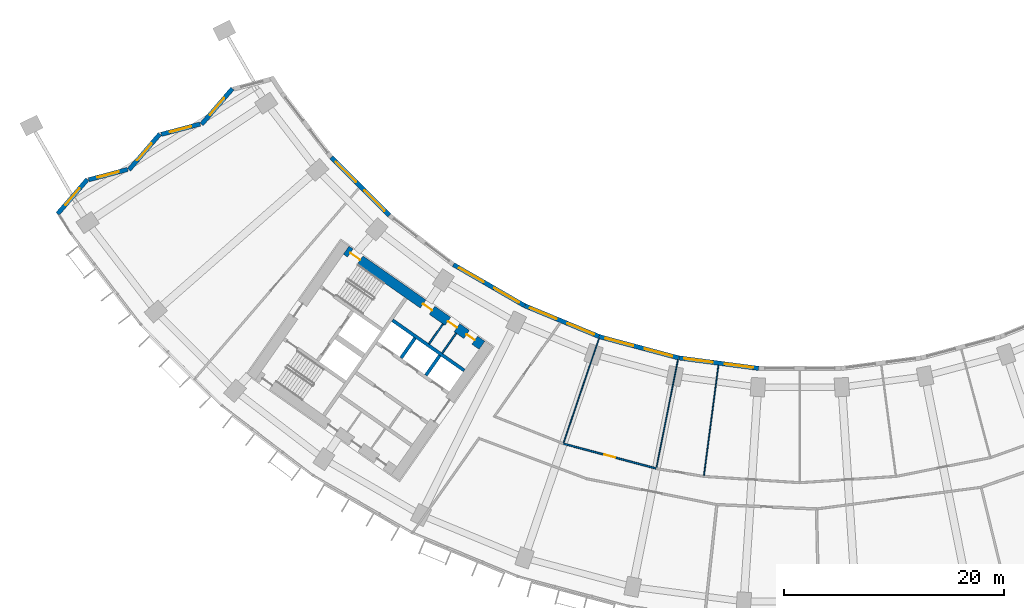
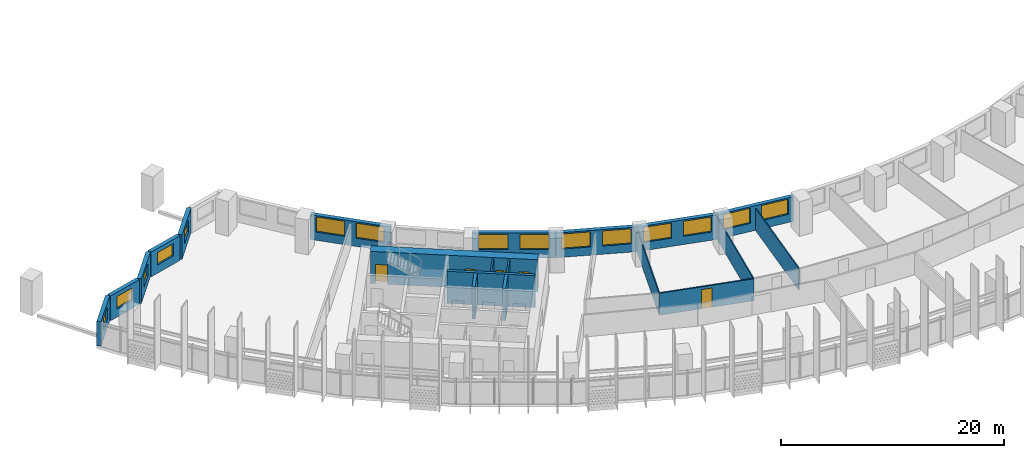
# One storey, part 4 of 31: 20 walls, 15 windows, 5 doors, 20 openings.
"""IFC4 building model written with IfcOpenShell, lengths in metres."""

from ifc_helpers import new_model, si_unit, direction, frame, frame_2d, origin, place, context, subcontext, project, spatial, rectangle, extrude, material, layer, layer_set, type_object, element, fill, save


model = new_model("IFC4")

# Units and contexts
model_context = context("Model", 3, precision=1e-05, world=origin(), true_north=direction((0.0, 1.0)))
body_context = subcontext(model_context, "Body", "Model", "MODEL_VIEW")
ifc_project = project(units=[si_unit("LENGTHUNIT", "METRE"), si_unit("AREAUNIT", "SQUARE_METRE"), si_unit("VOLUMEUNIT", "CUBIC_METRE"), si_unit("PLANEANGLEUNIT", "RADIAN"), si_unit("MASSUNIT", "GRAM", prefix="KILO")], contexts=[model_context])

# Site, building, storey
site_placement = place(None, origin())
site = spatial("IfcSite", under=ifc_project, at=site_placement, CompositionType="ELEMENT")
building_placement = place(site_placement, origin())
building = spatial("IfcBuilding", under=site, at=building_placement, Name="Qamariyya Broadcast Tower", CompositionType="ELEMENT")
storey_placement = place(building_placement, frame((0.0, 0.0, 55.699951171875)))
storey = spatial("IfcBuildingStorey", under=building, at=storey_placement, Name="L10", CompositionType="ELEMENT", Elevation=55.699951171875)

# Wall, openings, doors
ifc_material_1 = material(Name="Concrete C70/85", Category="concrete")
ifc_layer_1 = layer(ifc_material_1, 0.89990234375)
ifc_layer_set_1 = layer_set([ifc_layer_1], Name="Core wall 900 mm Concrete C70/85")
wall_type_1 = type_object("IfcWallType", Name="Core wall 900 mm Concrete C70/85", PredefinedType="SHEAR", material=ifc_layer_set_1)
wall_1_placement = place(storey_placement, frame((-28.8544921875, -54.32421875, 0.0), z_axis=(0.0, 0.0, 1.0), x_axis=(-0.819145767589, 0.573585400304, 0.0)))
wall_1 = element("IfcWall", 1, at=wall_1_placement, inside=storey, type_object=wall_type_1, Name="k-W-L10-WI", PredefinedType="SHEAR", context=body_context, shape_type="SweptSolid", body=[
    extrude(rectangle(XDim=15.04541015625, YDim=0.89990234375, at=frame_2d((7.522705078125, 0.0))), origin(), (0.0, 0.0, 1.0), 3.5),
])
opening_1_placement = place(wall_1_placement, frame((0.800048828125, 0.0, 0.0)))
opening_1 = element("IfcOpeningElement", 2, at=opening_1_placement, cuts=wall_1, Name="Opening KD5-W1", PredefinedType="OPENING", context=body_context, shape_type="SweptSolid", body=[
    extrude(rectangle(XDim=0.89990234375, YDim=2.10009765625, at=frame_2d((0.449951171875, 1.050048828125))), frame((0.0, 0.4599609375, 0.0), z_axis=(0.0, -1.0, 0.0), x_axis=(1.0, 0.0, 0.0)), (0.0, 0.0, 1.0), 0.919921875),
])
opening_2_placement = place(wall_1_placement, frame((2.77490234375, 0.0, 0.0)))
opening_2 = element("IfcOpeningElement", 3, at=opening_2_placement, cuts=wall_1, Name="Opening KD7-W1", PredefinedType="OPENING", context=body_context, shape_type="SweptSolid", body=[
    extrude(rectangle(XDim=1.0, YDim=2.10009765625, at=frame_2d((0.5, 1.050048828125))), frame((0.0, 0.4599609375, 0.0), z_axis=(0.0, -1.0, 0.0), x_axis=(1.0, 0.0, 0.0)), (0.0, 0.0, 1.0), 0.919921875),
])
opening_3_placement = place(wall_1_placement, frame((5.52490234375, 0.0, 0.0)))
opening_3 = element("IfcOpeningElement", 4, at=opening_3_placement, cuts=wall_1, Name="Opening KD6-W2", PredefinedType="OPENING", context=body_context, shape_type="SweptSolid", body=[
    extrude(rectangle(XDim=1.0, YDim=2.10009765625, at=frame_2d((0.5, 1.050048828125))), frame((0.0, 0.4599609375, 0.0), z_axis=(0.0, -1.0, 0.0), x_axis=(1.0, 0.0, 0.0)), (0.0, 0.0, 1.0), 0.919921875),
])
opening_4_placement = place(wall_1_placement, frame((13.495361328125, 0.0, 0.0)))
opening_4 = element("IfcOpeningElement", 5, at=opening_4_placement, cuts=wall_1, Name="Opening KD1-W1", PredefinedType="OPENING", context=body_context, shape_type="SweptSolid", body=[
    extrude(rectangle(XDim=1.10009765625, YDim=2.10009765625, at=frame_2d((0.550048828125, 1.050048828125))), frame((0.0, 0.4599609375, 0.0), z_axis=(0.0, -1.0, 0.0), x_axis=(1.0, 0.0, 0.0)), (0.0, 0.0, 1.0), 0.919921875),
])
ifc_material_2 = material(Name="Steel fire-resisting door leaf", Category="steel")
door_type_1 = type_object("IfcDoorType", Name="Accessible toilet door KD7", OperationType="SINGLE_SWING_LEFT", PredefinedType="DOOR", material=ifc_material_2)
door_1_placement = place(opening_2_placement, origin())
door_1 = element("IfcDoor", 6, at=door_1_placement, inside=storey, type_object=door_type_1, Name="k-W-L10-WI-D8", OperationType="SINGLE_SWING_LEFT", OverallHeight=2.10009765625, OverallWidth=1.0, PredefinedType="DOOR", context=body_context, shape_type="SweptSolid", body=[
    extrude(rectangle(XDim=1.0, YDim=2.10009765625, at=frame_2d((0.5, 1.050048828125))), frame((0.0, 0.02490234375, 0.0), z_axis=(0.0, -1.0, 0.0), x_axis=(1.0, 0.0, 0.0)), (0.0, 0.0, 1.0), 0.050048828125),
])
fill(opening_2, door_1)
door_type_2 = type_object("IfcDoorType", Name="Core room door KD6", OperationType="SINGLE_SWING_LEFT", PredefinedType="DOOR", material=ifc_material_2)
door_2_placement = place(opening_3_placement, origin())
door_2 = element("IfcDoor", 7, at=door_2_placement, inside=storey, type_object=door_type_2, Name="k-W-L10-WI-D9", OperationType="SINGLE_SWING_RIGHT", OverallHeight=2.10009765625, OverallWidth=1.0, PredefinedType="DOOR", context=body_context, shape_type="SweptSolid", body=[
    extrude(rectangle(XDim=1.0, YDim=2.10009765625, at=frame_2d((0.5, 1.050048828125))), frame((0.0, 0.02490234375, 0.0), z_axis=(0.0, -1.0, 0.0), x_axis=(1.0, 0.0, 0.0)), (0.0, 0.0, 1.0), 0.050048828125),
])
fill(opening_3, door_2)
door_type_3 = type_object("IfcDoorType", Name="Stair door KD1", OperationType="SINGLE_SWING_LEFT", PredefinedType="DOOR", material=ifc_material_2)
door_3_placement = place(opening_4_placement, origin())
door_3 = element("IfcDoor", 8, at=door_3_placement, inside=storey, type_object=door_type_3, Name="k-W-L10-WI-D16", OperationType="SINGLE_SWING_RIGHT", OverallHeight=2.10009765625, OverallWidth=1.10009765625, PredefinedType="DOOR", context=body_context, shape_type="SweptSolid", body=[
    extrude(rectangle(XDim=1.10009765625, YDim=2.10009765625, at=frame_2d((0.550048828125, 1.050048828125))), frame((0.0, 0.02490234375, 0.0), z_axis=(0.0, -1.0, 0.0), x_axis=(1.0, 0.0, 0.0)), (0.0, 0.0, 1.0), 0.050048828125),
])
fill(opening_4, door_3)
door_type_4 = type_object("IfcDoorType", Name="Toilet door KD5", OperationType="SINGLE_SWING_LEFT", PredefinedType="DOOR", material=ifc_material_2)
door_4_placement = place(opening_1_placement, origin())
door_4 = element("IfcDoor", 9, at=door_4_placement, inside=storey, type_object=door_type_4, Name="k-W-L10-WI-D7", OperationType="SINGLE_SWING_RIGHT", OverallHeight=2.10009765625, OverallWidth=0.89990234375, PredefinedType="DOOR", context=body_context, shape_type="SweptSolid", body=[
    extrude(rectangle(XDim=0.89990234375, YDim=2.10009765625, at=frame_2d((0.449951171875, 1.050048828125))), frame((0.0, 0.02490234375, 0.0), z_axis=(0.0, -1.0, 0.0), x_axis=(1.0, 0.0, 0.0)), (0.0, 0.0, 1.0), 0.050048828125),
])
fill(opening_1, door_4)

# Wall, opening, door
ifc_material_3 = material(Name="Gypsum board partition")
ifc_layer_2 = layer(ifc_material_3, 0.14990234375)
ifc_layer_set_2 = layer_set([ifc_layer_2], Name="Corridor partition 150 EI 60")
wall_type_2 = type_object("IfcWallType", Name="Corridor partition 150 EI 60", PredefinedType="PARTITIONING", material=ifc_layer_set_2)
wall_2_placement = place(storey_placement, frame((-21.47216796875, -63.2548828125, 0.0), z_axis=(0.0, 0.0, 1.0), x_axis=(0.965927722938, -0.258811966607, 0.0)))
wall_2 = element("IfcWall", 10, at=wall_2_placement, inside=storey, type_object=wall_type_2, Name="Partition L10-006", PredefinedType="PARTITIONING", context=body_context, shape_type="SweptSolid", body=[
    extrude(rectangle(XDim=8.73779296875, YDim=0.14990234375, at=frame_2d((4.368896484375, 0.0))), origin(), (0.0, 0.0, 1.0), 2.400146484375),
])
opening_5_placement = place(wall_2_placement, frame((3.868896484375, 0.0, 0.0)))
opening_5 = element("IfcOpeningElement", 11, at=opening_5_placement, cuts=wall_2, Name="Opening L10-D06", PredefinedType="OPENING", context=body_context, shape_type="SweptSolid", body=[
    extrude(rectangle(XDim=1.0, YDim=2.10009765625, at=frame_2d((0.5, 1.050048828125))), frame((0.0, 0.0849609375, 0.0), z_axis=(0.0, -1.0, 0.0), x_axis=(1.0, 0.0, 0.0)), (0.0, 0.0, 1.0), 0.169921875),
])
ifc_material_4 = material(Name="Timber fire door leaf", Category="wood")
door_type_5 = type_object("IfcDoorType", Name="Fire door 1000 x 2100 FD60", OperationType="NOTDEFINED", PredefinedType="DOOR", material=ifc_material_4)
door_5_placement = place(opening_5_placement, origin())
door_5 = element("IfcDoor", 12, at=door_5_placement, inside=storey, type_object=door_type_5, Name="Door L10-D06", OperationType="SINGLE_SWING_RIGHT", OverallHeight=2.10009765625, OverallWidth=1.0, PredefinedType="DOOR", context=body_context, shape_type="SweptSolid", body=[
    extrude(rectangle(XDim=1.0, YDim=2.10009765625, at=frame_2d((0.5, 1.050048828125))), frame((0.0, 0.02490234375, 0.0), z_axis=(0.0, -1.0, 0.0), x_axis=(1.0, 0.0, 0.0)), (0.0, 0.0, 1.0), 0.050048828125),
])
fill(opening_5, door_5)

# Walls
ifc_material_5 = material(Name="Gypsum board partition on steel studs", Category="steel")
ifc_layer_3 = layer(ifc_material_5, 0.14990234375)
ifc_layer_set_3 = layer_set([ifc_layer_3], Name="Gypsum board partition 150 mm")
wall_type_3 = type_object("IfcWallType", Name="Gypsum board partition 150 mm", PredefinedType="PARTITIONING", material=ifc_layer_set_3)
wall_3_placement = place(storey_placement, frame((-32.46337890625, -55.0322265625, 0.0), z_axis=(0.0, 0.0, 1.0), x_axis=(0.573507030513, 0.819200638399, 0.0)))
element("IfcWall", 13, at=wall_3_placement, inside=storey, type_object=wall_type_3, Name="k-W-L10-NP255", PredefinedType="PARTITIONING", context=body_context, shape_type="SweptSolid", body=[
    extrude(rectangle(XDim=2.199951171875, YDim=0.14990234375, at=frame_2d((1.10009765625, 0.0))), origin(), (0.0, 0.0, 1.0), 3.5),
])
wall_4_placement = place(storey_placement, frame((-33.651123046875, -54.200439453125, 0.0), z_axis=(0.0, 0.0, 1.0), x_axis=(0.573559170999, 0.819164133348, 0.0)))
element("IfcWall", 14, at=wall_4_placement, inside=storey, type_object=wall_type_3, Name="k-W-L10-NP400", PredefinedType="PARTITIONING", context=body_context, shape_type="SweptSolid", body=[
    extrude(rectangle(XDim=2.19970703125, YDim=0.14990234375, at=frame_2d((1.099853515625, 0.0))), origin(), (0.0, 0.0, 1.0), 3.5),
])
ifc_material_6 = material(Name="Concrete C60/75", Category="concrete")
ifc_layer_4 = layer(ifc_material_6, 0.300048828125)
ifc_layer_set_4 = layer_set([ifc_layer_4], Name="Lift shaft wall 300 mm Concrete C60/75")
wall_type_4 = type_object("IfcWallType", Name="Lift shaft wall 300 mm Concrete C60/75", PredefinedType="SOLIDWALL", material=ifc_layer_set_4)
wall_5_placement = place(storey_placement, frame((-30.460693359375, -56.61767578125, 0.0), z_axis=(0.0, 0.0, 1.0), x_axis=(-0.819142461705, 0.573590121456, 0.0)))
element("IfcWall", 15, at=wall_5_placement, inside=storey, type_object=wall_type_4, Name="k-W-L10-NB0", PredefinedType="SOLIDWALL", context=body_context, shape_type="SweptSolid", body=[
    extrude(rectangle(XDim=7.949951171875, YDim=0.300048828125, at=frame_2d((3.97509765625, 0.0))), origin(), (0.0, 0.0, 1.0), 3.5),
])
wall_6_placement = place(storey_placement, frame((-33.9384765625, -57.051513671875, 0.0), z_axis=(0.0, 0.0, 1.0), x_axis=(0.573581496053, 0.819148501424, 0.0)))
element("IfcWall", 16, at=wall_6_placement, inside=storey, type_object=wall_type_4, Name="k-W-L10-ND0", PredefinedType="SOLIDWALL", context=body_context, shape_type="SweptSolid", body=[
    extrude(rectangle(XDim=2.2001953125, YDim=0.300048828125, at=frame_2d((1.10009765625, 0.0))), origin(), (0.0, 0.0, 1.0), 3.5),
])
wall_7_placement = place(storey_placement, frame((-36.19091796875, -55.47412109375, 0.0), z_axis=(0.0, 0.0, 1.0), x_axis=(0.573507030513, 0.819200638399, 0.0)))
element("IfcWall", 17, at=wall_7_placement, inside=storey, type_object=wall_type_4, Name="k-W-L10-ND1", PredefinedType="SOLIDWALL", context=body_context, shape_type="SweptSolid", body=[
    extrude(rectangle(XDim=2.199951171875, YDim=0.300048828125, at=frame_2d((1.10009765625, 0.0))), origin(), (0.0, 0.0, 1.0), 3.5),
])
ifc_layer_5 = layer(ifc_material_3, 0.10009765625)
ifc_layer_set_5 = layer_set([ifc_layer_5], Name="Partition 100")
wall_type_5 = type_object("IfcWallType", Name="Partition 100", PredefinedType="PARTITIONING", material=ifc_layer_set_5)
for number, where, z_axis, x_axis, name in (
    (18, (-18.24169921875, -53.73828125, 0.0), (0.0, 0.0, 1.0), (-0.321436265026, -0.946931215837, 0.0), "Partition L10-008"),
    (19, (-11.0712890625, -55.65966796875, 0.0), (0.0, 0.0, 1.0), (-0.195094645032, -0.980784420492, 0.0), "Partition L10-010"),
):
    element("IfcWall", number, at=place(storey_placement, frame(where, z_axis=z_axis, x_axis=x_axis)), inside=storey, type_object=wall_type_5, Name=name, PredefinedType="PARTITIONING", context=body_context, shape_type="SweptSolid", body=[
        extrude(rectangle(XDim=9.974853515625, YDim=0.10009765625, at=frame_2d((4.9873046875, 0.0))), origin(), (0.0, 0.0, 1.0), 2.400146484375),
    ])
wall_8_placement = place(storey_placement, frame((-7.3916015625, -56.144775390625, 0.0), z_axis=(0.0, 0.0, 1.0), x_axis=(-0.130538336764, -0.991443262439, 0.0)))
element("IfcWall", 20, at=wall_8_placement, inside=storey, type_object=wall_type_5, Name="Partition L10-014", PredefinedType="PARTITIONING", context=body_context, shape_type="SweptSolid", body=[
    extrude(rectangle(XDim=10.095703125, YDim=0.10009765625, at=frame_2d((5.0478515625, 0.0))), origin(), (0.0, 0.0, 1.0), 2.400146484375),
])

# Wall, opening, window
ifc_material_7 = material(Name="Terracotta", Category="masonry")
ifc_layer_6 = layer(ifc_material_7, 0.39990234375)
ifc_layer_set_6 = layer_set([ifc_layer_6], Name="Terracotta clad wall 400")
wall_type_6 = type_object("IfcWallType", Name="Terracotta clad wall 400", PredefinedType="SOLIDWALL", material=ifc_layer_set_6)
wall_9_placement = place(storey_placement, frame((-51.499755859375, -31.029296875, 0.0), z_axis=(0.0, 0.0, 1.0), x_axis=(-0.653861023327, -0.75661467219, 0.0)))
wall_9 = element("IfcWall", 21, at=wall_9_placement, inside=storey, type_object=wall_type_6, Name="e-wl-L10-capW1", PredefinedType="SOLIDWALL", context=body_context, shape_type="SweptSolid", body=[
    extrude(rectangle(XDim=4.295654296875, YDim=0.39990234375, at=frame_2d((2.14794921875, 0.0))), origin(), (0.0, 0.0, 1.0), 2.699951171875),
])
opening_6_placement = place(wall_9_placement, frame((1.14794921875, 0.0, 0.89990234375)))
opening_6 = element("IfcOpeningElement", 22, at=opening_6_placement, cuts=wall_9, Name="Opening W4", PredefinedType="OPENING", context=body_context, shape_type="SweptSolid", body=[
    extrude(rectangle(XDim=2.0, YDim=1.35009765625, at=frame_2d((1.0, 0.675048828125))), frame((0.0, 0.2099609375, 0.0), z_axis=(0.0, -1.0, 0.0), x_axis=(1.0, 0.0, 0.0)), (0.0, 0.0, 1.0), 0.419921875),
])
ifc_material_8 = material(Name="Clear low-e double glazed unit in aluminium frame", Category="aluminium")
window_type_1 = type_object("IfcWindowType", Name="Horn bay window 2000 x 1350", PartitioningType="SINGLE_PANEL", PredefinedType="WINDOW", material=ifc_material_8)
window_1_placement = place(opening_6_placement, origin())
window_1 = element("IfcWindow", 23, at=window_1_placement, inside=storey, type_object=window_type_1, Name="e-w-L10-capW1", OverallHeight=1.35009765625, OverallWidth=2.0, PartitioningType="SINGLE_PANEL", PredefinedType="WINDOW", context=body_context, shape_type="SweptSolid", body=[
    extrude(rectangle(XDim=2.0, YDim=1.35009765625, at=frame_2d((1.0, 0.675048828125))), frame((0.0, 0.030029296875, 0.0), z_axis=(0.0, -1.0, 0.0), x_axis=(1.0, 0.0, 0.0)), (0.0, 0.0, 1.0), 0.06005859375),
])
fill(opening_6, window_1)

wall_10_placement = place(storey_placement, frame((-54.433349609375, -34.248291015625, 0.0), z_axis=(0.0, 0.0, 1.0), x_axis=(-0.96669110423, -0.255945910308, 0.0)))
wall_10 = element("IfcWall", 24, at=wall_10_placement, inside=storey, type_object=wall_type_6, Name="e-wl-L10-capW2", PredefinedType="SOLIDWALL", context=body_context, shape_type="SweptSolid", body=[
    extrude(rectangle(XDim=3.647705078125, YDim=0.39990234375, at=frame_2d((1.82373046875, 0.0))), origin(), (0.0, 0.0, 1.0), 2.699951171875),
])
opening_7_placement = place(wall_10_placement, frame((0.82373046875, 0.0, 0.89990234375)))
opening_7 = element("IfcOpeningElement", 25, at=opening_7_placement, cuts=wall_10, Name="Opening W4", PredefinedType="OPENING", context=body_context, shape_type="SweptSolid", body=[
    extrude(rectangle(XDim=2.0, YDim=1.35009765625, at=frame_2d((1.0, 0.675048828125))), frame((0.0, 0.2099609375, 0.0), z_axis=(0.0, -1.0, 0.0), x_axis=(1.0, 0.0, 0.0)), (0.0, 0.0, 1.0), 0.419921875),
])
window_2_placement = place(opening_7_placement, origin())
window_2 = element("IfcWindow", 26, at=window_2_placement, inside=storey, type_object=window_type_1, Name="e-w-L10-capW2", OverallHeight=1.35009765625, OverallWidth=2.0, PartitioningType="SINGLE_PANEL", PredefinedType="WINDOW", context=body_context, shape_type="SweptSolid", body=[
    extrude(rectangle(XDim=2.0, YDim=1.35009765625, at=frame_2d((1.0, 0.675048828125))), frame((0.0, 0.030029296875, 0.0), z_axis=(0.0, -1.0, 0.0), x_axis=(1.0, 0.0, 0.0)), (0.0, 0.0, 1.0), 0.06005859375),
])
fill(opening_7, window_2)

wall_11_placement = place(storey_placement, frame((-58.084228515625, -35.15087890625, 0.0), z_axis=(0.0, 0.0, 1.0), x_axis=(-0.653782670149, -0.756682377364, 0.0)))
wall_11 = element("IfcWall", 27, at=wall_11_placement, inside=storey, type_object=wall_type_6, Name="e-wl-L10-capW3", PredefinedType="SOLIDWALL", context=body_context, shape_type="SweptSolid", body=[
    extrude(rectangle(XDim=4.29443359375, YDim=0.39990234375, at=frame_2d((2.147216796875, 0.0))), origin(), (0.0, 0.0, 1.0), 2.699951171875),
])
opening_8_placement = place(wall_11_placement, frame((1.147216796875, 0.0, 0.89990234375)))
opening_8 = element("IfcOpeningElement", 28, at=opening_8_placement, cuts=wall_11, Name="Opening W4", PredefinedType="OPENING", context=body_context, shape_type="SweptSolid", body=[
    extrude(rectangle(XDim=2.0, YDim=1.35009765625, at=frame_2d((1.0, 0.675048828125))), frame((0.0, 0.2099609375, 0.0), z_axis=(0.0, -1.0, 0.0), x_axis=(1.0, 0.0, 0.0)), (0.0, 0.0, 1.0), 0.419921875),
])
window_3_placement = place(opening_8_placement, origin())
window_3 = element("IfcWindow", 29, at=window_3_placement, inside=storey, type_object=window_type_1, Name="e-w-L10-capW3", OverallHeight=1.35009765625, OverallWidth=2.0, PartitioningType="SINGLE_PANEL", PredefinedType="WINDOW", context=body_context, shape_type="SweptSolid", body=[
    extrude(rectangle(XDim=2.0, YDim=1.35009765625, at=frame_2d((1.0, 0.675048828125))), frame((0.0, 0.030029296875, 0.0), z_axis=(0.0, -1.0, 0.0), x_axis=(1.0, 0.0, 0.0)), (0.0, 0.0, 1.0), 0.06005859375),
])
fill(opening_8, window_3)

wall_12_placement = place(storey_placement, frame((-61.0166015625, -38.369140625, 0.0), z_axis=(0.0, 0.0, 1.0), x_axis=(-0.966675524823, -0.256004745481, 0.0)))
wall_12 = element("IfcWall", 30, at=wall_12_placement, inside=storey, type_object=wall_type_6, Name="e-wl-L10-capW4", PredefinedType="SOLIDWALL", context=body_context, shape_type="SweptSolid", body=[
    extrude(rectangle(XDim=3.648681640625, YDim=0.39990234375, at=frame_2d((1.82421875, 0.0))), origin(), (0.0, 0.0, 1.0), 2.699951171875),
])
opening_9_placement = place(wall_12_placement, frame((0.824462890625, 0.0, 0.89990234375)))
opening_9 = element("IfcOpeningElement", 31, at=opening_9_placement, cuts=wall_12, Name="Opening W4", PredefinedType="OPENING", context=body_context, shape_type="SweptSolid", body=[
    extrude(rectangle(XDim=2.0, YDim=1.35009765625, at=frame_2d((1.0, 0.675048828125))), frame((0.0, 0.2099609375, 0.0), z_axis=(0.0, -1.0, 0.0), x_axis=(1.0, 0.0, 0.0)), (0.0, 0.0, 1.0), 0.419921875),
])
window_4_placement = place(opening_9_placement, origin())
window_4 = element("IfcWindow", 32, at=window_4_placement, inside=storey, type_object=window_type_1, Name="e-w-L10-capW4", OverallHeight=1.35009765625, OverallWidth=2.0, PartitioningType="SINGLE_PANEL", PredefinedType="WINDOW", context=body_context, shape_type="SweptSolid", body=[
    extrude(rectangle(XDim=2.0, YDim=1.35009765625, at=frame_2d((1.0, 0.675048828125))), frame((0.0, 0.030029296875, 0.0), z_axis=(0.0, -1.0, 0.0), x_axis=(1.0, 0.0, 0.0)), (0.0, 0.0, 1.0), 0.06005859375),
])
fill(opening_9, window_4)

wall_13_placement = place(storey_placement, frame((-64.66845703125, -39.272216796875, 0.0), z_axis=(0.0, 0.0, 1.0), x_axis=(-0.653757112445, -0.756704458774, 0.0)))
wall_13 = element("IfcWall", 33, at=wall_13_placement, inside=storey, type_object=wall_type_6, Name="e-wl-L10-capW5", PredefinedType="SOLIDWALL", context=body_context, shape_type="SweptSolid", body=[
    extrude(rectangle(XDim=4.12158203125, YDim=0.39990234375, at=frame_2d((2.060791015625, 0.0))), origin(), (0.0, 0.0, 1.0), 2.699951171875),
])
opening_10_placement = place(wall_13_placement, frame((1.060791015625, 0.0, 0.89990234375)))
opening_10 = element("IfcOpeningElement", 34, at=opening_10_placement, cuts=wall_13, Name="Opening W4", PredefinedType="OPENING", context=body_context, shape_type="SweptSolid", body=[
    extrude(rectangle(XDim=2.0, YDim=1.35009765625, at=frame_2d((1.0, 0.675048828125))), frame((0.0, 0.2099609375, 0.0), z_axis=(0.0, -1.0, 0.0), x_axis=(1.0, 0.0, 0.0)), (0.0, 0.0, 1.0), 0.419921875),
])
window_5_placement = place(opening_10_placement, origin())
window_5 = element("IfcWindow", 35, at=window_5_placement, inside=storey, type_object=window_type_1, Name="e-w-L10-capW5", OverallHeight=1.35009765625, OverallWidth=2.0, PartitioningType="SINGLE_PANEL", PredefinedType="WINDOW", context=body_context, shape_type="SweptSolid", body=[
    extrude(rectangle(XDim=2.0, YDim=1.35009765625, at=frame_2d((1.0, 0.675048828125))), frame((0.0, 0.030029296875, 0.0), z_axis=(0.0, -1.0, 0.0), x_axis=(1.0, 0.0, 0.0)), (0.0, 0.0, 1.0), 0.06005859375),
])
fill(opening_10, window_5)

# Wall, openings, windows
wall_14_placement = place(storey_placement, frame((-37.2685546875, -42.534423828125, 0.0), z_axis=(0.0, 0.0, 1.0), x_axis=(-0.707106781187, 0.707106781187, 0.0)))
wall_14 = element("IfcWall", 36, at=wall_14_placement, inside=storey, type_object=wall_type_6, Name="e-wl-L10-in20", PredefinedType="SOLIDWALL", context=body_context, shape_type="SweptSolid", body=[
    extrude(rectangle(XDim=7.447021484375, YDim=0.39990234375, at=frame_2d((3.7236328125, 0.0))), origin(), (0.0, 0.0, 1.0), 2.699951171875),
])
opening_11_placement = place(wall_14_placement, frame((4.266357421875, 0.0, 0.89990234375)))
opening_11 = element("IfcOpeningElement", 37, at=opening_11_placement, cuts=wall_14, Name="Opening W1", PredefinedType="OPENING", context=body_context, shape_type="SweptSolid", body=[
    extrude(rectangle(XDim=2.60009765625, YDim=1.64990234375, at=frame_2d((1.300048828125, 0.824951171875))), frame((0.0, 0.2099609375, 0.0), z_axis=(0.0, -1.0, 0.0), x_axis=(1.0, 0.0, 0.0)), (0.0, 0.0, 1.0), 0.419921875),
])
opening_12_placement = place(wall_14_placement, frame((0.580810546875, 0.0, 0.89990234375)))
opening_12 = element("IfcOpeningElement", 38, at=opening_12_placement, cuts=wall_14, Name="Opening W1", PredefinedType="OPENING", context=body_context, shape_type="SweptSolid", body=[
    extrude(rectangle(XDim=2.60009765625, YDim=1.64990234375, at=frame_2d((1.300048828125, 0.824951171875))), frame((0.0, 0.2099609375, 0.0), z_axis=(0.0, -1.0, 0.0), x_axis=(1.0, 0.0, 0.0)), (0.0, 0.0, 1.0), 0.419921875),
])
window_type_2 = type_object("IfcWindowType", Name="Ribbon window 2600 x 1650", PartitioningType="SINGLE_PANEL", PredefinedType="WINDOW", material=ifc_material_8)
window_6_placement = place(opening_11_placement, origin())
window_6 = element("IfcWindow", 39, at=window_6_placement, inside=storey, type_object=window_type_2, Name="e-w-L10-in02-0", OverallHeight=1.64990234375, OverallWidth=2.60009765625, PartitioningType="SINGLE_PANEL", PredefinedType="WINDOW", context=body_context, shape_type="SweptSolid", body=[
    extrude(rectangle(XDim=2.60009765625, YDim=1.64990234375, at=frame_2d((1.300048828125, 0.824951171875))), frame((0.0, 0.030029296875, 0.0), z_axis=(0.0, -1.0, 0.0), x_axis=(1.0, 0.0, 0.0)), (0.0, 0.0, 1.0), 0.06005859375),
])
fill(opening_11, window_6)
window_7_placement = place(opening_12_placement, origin())
window_7 = element("IfcWindow", 40, at=window_7_placement, inside=storey, type_object=window_type_2, Name="e-w-L10-in02-1", OverallHeight=1.64990234375, OverallWidth=2.60009765625, PartitioningType="SINGLE_PANEL", PredefinedType="WINDOW", context=body_context, shape_type="SweptSolid", body=[
    extrude(rectangle(XDim=2.60009765625, YDim=1.64990234375, at=frame_2d((1.300048828125, 0.824951171875))), frame((0.0, 0.030029296875, 0.0), z_axis=(0.0, -1.0, 0.0), x_axis=(1.0, 0.0, 0.0)), (0.0, 0.0, 1.0), 0.06005859375),
])
fill(opening_12, window_7)

wall_15_placement = place(storey_placement, frame((-24.989990234375, -50.73095703125, 0.0), z_axis=(0.0, 0.0, 1.0), x_axis=(-0.866037641005, 0.499978803913, 0.0)))
wall_15 = element("IfcWall", 41, at=wall_15_placement, inside=storey, type_object=wall_type_6, Name="e-wl-L10-in40", PredefinedType="SOLIDWALL", context=body_context, shape_type="SweptSolid", body=[
    extrude(rectangle(XDim=7.447021484375, YDim=0.39990234375, at=frame_2d((3.7236328125, 0.0))), origin(), (0.0, 0.0, 1.0), 2.699951171875),
])
opening_13_placement = place(wall_15_placement, frame((4.266357421875, 0.0, 0.89990234375)))
opening_13 = element("IfcOpeningElement", 42, at=opening_13_placement, cuts=wall_15, Name="Opening W1", PredefinedType="OPENING", context=body_context, shape_type="SweptSolid", body=[
    extrude(rectangle(XDim=2.60009765625, YDim=1.64990234375, at=frame_2d((1.300048828125, 0.824951171875))), frame((0.0, 0.2099609375, 0.0), z_axis=(0.0, -1.0, 0.0), x_axis=(1.0, 0.0, 0.0)), (0.0, 0.0, 1.0), 0.419921875),
])
opening_14_placement = place(wall_15_placement, frame((0.580810546875, 0.0, 0.89990234375)))
opening_14 = element("IfcOpeningElement", 43, at=opening_14_placement, cuts=wall_15, Name="Opening W1", PredefinedType="OPENING", context=body_context, shape_type="SweptSolid", body=[
    extrude(rectangle(XDim=2.60009765625, YDim=1.64990234375, at=frame_2d((1.300048828125, 0.824951171875))), frame((0.0, 0.2099609375, 0.0), z_axis=(0.0, -1.0, 0.0), x_axis=(1.0, 0.0, 0.0)), (0.0, 0.0, 1.0), 0.419921875),
])
window_8_placement = place(opening_13_placement, origin())
window_8 = element("IfcWindow", 44, at=window_8_placement, inside=storey, type_object=window_type_2, Name="e-w-L10-in04-0", OverallHeight=1.64990234375, OverallWidth=2.60009765625, PartitioningType="SINGLE_PANEL", PredefinedType="WINDOW", context=body_context, shape_type="SweptSolid", body=[
    extrude(rectangle(XDim=2.60009765625, YDim=1.64990234375, at=frame_2d((1.300048828125, 0.824951171875))), frame((0.0, 0.030029296875, 0.0), z_axis=(0.0, -1.0, 0.0), x_axis=(1.0, 0.0, 0.0)), (0.0, 0.0, 1.0), 0.06005859375),
])
fill(opening_13, window_8)
window_9_placement = place(opening_14_placement, origin())
window_9 = element("IfcWindow", 45, at=window_9_placement, inside=storey, type_object=window_type_2, Name="e-w-L10-in04-1", OverallHeight=1.64990234375, OverallWidth=2.60009765625, PartitioningType="SINGLE_PANEL", PredefinedType="WINDOW", context=body_context, shape_type="SweptSolid", body=[
    extrude(rectangle(XDim=2.60009765625, YDim=1.64990234375, at=frame_2d((1.300048828125, 0.824951171875))), frame((0.0, 0.030029296875, 0.0), z_axis=(0.0, -1.0, 0.0), x_axis=(1.0, 0.0, 0.0)), (0.0, 0.0, 1.0), 0.06005859375),
])
fill(opening_14, window_9)

wall_16_placement = place(storey_placement, frame((-18.224365234375, -53.52978515625, 0.0), z_axis=(0.0, 0.0, 1.0), x_axis=(-0.923891626322, 0.382654234018, 0.0)))
wall_16 = element("IfcWall", 46, at=wall_16_placement, inside=storey, type_object=wall_type_6, Name="e-wl-L10-in50", PredefinedType="SOLIDWALL", context=body_context, shape_type="SweptSolid", body=[
    extrude(rectangle(XDim=7.295654296875, YDim=0.39990234375, at=frame_2d((3.64794921875, 0.0))), origin(), (0.0, 0.0, 1.0), 2.699951171875),
])
opening_15_placement = place(wall_16_placement, frame((4.190673828125, 0.0, 0.89990234375)))
opening_15 = element("IfcOpeningElement", 47, at=opening_15_placement, cuts=wall_16, Name="Opening W1", PredefinedType="OPENING", context=body_context, shape_type="SweptSolid", body=[
    extrude(rectangle(XDim=2.60009765625, YDim=1.64990234375, at=frame_2d((1.300048828125, 0.824951171875))), frame((0.0, 0.2099609375, 0.0), z_axis=(0.0, -1.0, 0.0), x_axis=(1.0, 0.0, 0.0)), (0.0, 0.0, 1.0), 0.419921875),
])
opening_16_placement = place(wall_16_placement, frame((0.505126953125, 0.0, 0.89990234375)))
opening_16 = element("IfcOpeningElement", 48, at=opening_16_placement, cuts=wall_16, Name="Opening W1", PredefinedType="OPENING", context=body_context, shape_type="SweptSolid", body=[
    extrude(rectangle(XDim=2.60009765625, YDim=1.64990234375, at=frame_2d((1.300048828125, 0.824951171875))), frame((0.0, 0.2099609375, 0.0), z_axis=(0.0, -1.0, 0.0), x_axis=(1.0, 0.0, 0.0)), (0.0, 0.0, 1.0), 0.419921875),
])
window_10_placement = place(opening_15_placement, origin())
window_10 = element("IfcWindow", 49, at=window_10_placement, inside=storey, type_object=window_type_2, Name="e-w-L10-in05-0", OverallHeight=1.64990234375, OverallWidth=2.60009765625, PartitioningType="SINGLE_PANEL", PredefinedType="WINDOW", context=body_context, shape_type="SweptSolid", body=[
    extrude(rectangle(XDim=2.60009765625, YDim=1.64990234375, at=frame_2d((1.300048828125, 0.824951171875))), frame((0.0, 0.030029296875, 0.0), z_axis=(0.0, -1.0, 0.0), x_axis=(1.0, 0.0, 0.0)), (0.0, 0.0, 1.0), 0.06005859375),
])
fill(opening_15, window_10)
window_11_placement = place(opening_16_placement, origin())
window_11 = element("IfcWindow", 50, at=window_11_placement, inside=storey, type_object=window_type_2, Name="e-w-L10-in05-1", OverallHeight=1.64990234375, OverallWidth=2.60009765625, PartitioningType="SINGLE_PANEL", PredefinedType="WINDOW", context=body_context, shape_type="SweptSolid", body=[
    extrude(rectangle(XDim=2.60009765625, YDim=1.64990234375, at=frame_2d((1.300048828125, 0.824951171875))), frame((0.0, 0.030029296875, 0.0), z_axis=(0.0, -1.0, 0.0), x_axis=(1.0, 0.0, 0.0)), (0.0, 0.0, 1.0), 0.06005859375),
])
fill(opening_16, window_11)

wall_17_placement = place(storey_placement, frame((-11.00830078125, -55.47021484375, 0.0), z_axis=(0.0, 0.0, 1.0), x_axis=(-0.965924637935, 0.25882348006, 0.0)))
wall_17 = element("IfcWall", 51, at=wall_17_placement, inside=storey, type_object=wall_type_6, Name="e-wl-L10-in60", PredefinedType="SOLIDWALL", context=body_context, shape_type="SweptSolid", body=[
    extrude(rectangle(XDim=7.447021484375, YDim=0.39990234375, at=frame_2d((3.7236328125, 0.0))), origin(), (0.0, 0.0, 1.0), 2.699951171875),
])
opening_17_placement = place(wall_17_placement, frame((4.266357421875, 0.0, 0.89990234375)))
opening_17 = element("IfcOpeningElement", 52, at=opening_17_placement, cuts=wall_17, Name="Opening W1", PredefinedType="OPENING", context=body_context, shape_type="SweptSolid", body=[
    extrude(rectangle(XDim=2.60009765625, YDim=1.64990234375, at=frame_2d((1.300048828125, 0.824951171875))), frame((0.0, 0.2099609375, 0.0), z_axis=(0.0, -1.0, 0.0), x_axis=(1.0, 0.0, 0.0)), (0.0, 0.0, 1.0), 0.419921875),
])
opening_18_placement = place(wall_17_placement, frame((0.580810546875, 0.0, 0.89990234375)))
opening_18 = element("IfcOpeningElement", 53, at=opening_18_placement, cuts=wall_17, Name="Opening W1", PredefinedType="OPENING", context=body_context, shape_type="SweptSolid", body=[
    extrude(rectangle(XDim=2.60009765625, YDim=1.64990234375, at=frame_2d((1.300048828125, 0.824951171875))), frame((0.0, 0.2099609375, 0.0), z_axis=(0.0, -1.0, 0.0), x_axis=(1.0, 0.0, 0.0)), (0.0, 0.0, 1.0), 0.419921875),
])
window_12_placement = place(opening_17_placement, origin())
window_12 = element("IfcWindow", 54, at=window_12_placement, inside=storey, type_object=window_type_2, Name="e-w-L10-in06-0", OverallHeight=1.64990234375, OverallWidth=2.60009765625, PartitioningType="SINGLE_PANEL", PredefinedType="WINDOW", context=body_context, shape_type="SweptSolid", body=[
    extrude(rectangle(XDim=2.60009765625, YDim=1.64990234375, at=frame_2d((1.300048828125, 0.824951171875))), frame((0.0, 0.030029296875, 0.0), z_axis=(0.0, -1.0, 0.0), x_axis=(1.0, 0.0, 0.0)), (0.0, 0.0, 1.0), 0.06005859375),
])
fill(opening_17, window_12)
window_13_placement = place(opening_18_placement, origin())
window_13 = element("IfcWindow", 55, at=window_13_placement, inside=storey, type_object=window_type_2, Name="e-w-L10-in06-1", OverallHeight=1.64990234375, OverallWidth=2.60009765625, PartitioningType="SINGLE_PANEL", PredefinedType="WINDOW", context=body_context, shape_type="SweptSolid", body=[
    extrude(rectangle(XDim=2.60009765625, YDim=1.64990234375, at=frame_2d((1.300048828125, 0.824951171875))), frame((0.0, 0.030029296875, 0.0), z_axis=(0.0, -1.0, 0.0), x_axis=(1.0, 0.0, 0.0)), (0.0, 0.0, 1.0), 0.06005859375),
])
fill(opening_18, window_13)

wall_18_placement = place(storey_placement, frame((-3.748779296875, -56.422607421875, 0.0), z_axis=(0.0, 0.0, 1.0), x_axis=(-0.99144746031, 0.130506449818, 0.0)))
wall_18 = element("IfcWall", 56, at=wall_18_placement, inside=storey, type_object=wall_type_6, Name="e-wl-L10-in70", PredefinedType="SOLIDWALL", context=body_context, shape_type="SweptSolid", body=[
    extrude(rectangle(XDim=7.2958984375, YDim=0.39990234375, at=frame_2d((3.64794921875, 0.0))), origin(), (0.0, 0.0, 1.0), 2.699951171875),
])
opening_19_placement = place(wall_18_placement, frame((4.190673828125, 0.0, 0.89990234375)))
opening_19 = element("IfcOpeningElement", 57, at=opening_19_placement, cuts=wall_18, Name="Opening W1", PredefinedType="OPENING", context=body_context, shape_type="SweptSolid", body=[
    extrude(rectangle(XDim=2.60009765625, YDim=1.64990234375, at=frame_2d((1.300048828125, 0.824951171875))), frame((0.0, 0.2099609375, 0.0), z_axis=(0.0, -1.0, 0.0), x_axis=(1.0, 0.0, 0.0)), (0.0, 0.0, 1.0), 0.419921875),
])
opening_20_placement = place(wall_18_placement, frame((0.505126953125, 0.0, 0.89990234375)))
opening_20 = element("IfcOpeningElement", 58, at=opening_20_placement, cuts=wall_18, Name="Opening W1", PredefinedType="OPENING", context=body_context, shape_type="SweptSolid", body=[
    extrude(rectangle(XDim=2.60009765625, YDim=1.64990234375, at=frame_2d((1.300048828125, 0.824951171875))), frame((0.0, 0.2099609375, 0.0), z_axis=(0.0, -1.0, 0.0), x_axis=(1.0, 0.0, 0.0)), (0.0, 0.0, 1.0), 0.419921875),
])
window_14_placement = place(opening_19_placement, origin())
window_14 = element("IfcWindow", 59, at=window_14_placement, inside=storey, type_object=window_type_2, Name="e-w-L10-in07-0", OverallHeight=1.64990234375, OverallWidth=2.60009765625, PartitioningType="SINGLE_PANEL", PredefinedType="WINDOW", context=body_context, shape_type="SweptSolid", body=[
    extrude(rectangle(XDim=2.60009765625, YDim=1.64990234375, at=frame_2d((1.300048828125, 0.824951171875))), frame((0.0, 0.030029296875, 0.0), z_axis=(0.0, -1.0, 0.0), x_axis=(1.0, 0.0, 0.0)), (0.0, 0.0, 1.0), 0.06005859375),
])
fill(opening_19, window_14)
window_15_placement = place(opening_20_placement, origin())
window_15 = element("IfcWindow", 60, at=window_15_placement, inside=storey, type_object=window_type_2, Name="e-w-L10-in07-1", OverallHeight=1.64990234375, OverallWidth=2.60009765625, PartitioningType="SINGLE_PANEL", PredefinedType="WINDOW", context=body_context, shape_type="SweptSolid", body=[
    extrude(rectangle(XDim=2.60009765625, YDim=1.64990234375, at=frame_2d((1.300048828125, 0.824951171875))), frame((0.0, 0.030029296875, 0.0), z_axis=(0.0, -1.0, 0.0), x_axis=(1.0, 0.0, 0.0)), (0.0, 0.0, 1.0), 0.06005859375),
])
fill(opening_20, window_15)

save(model, "model.ifc")
